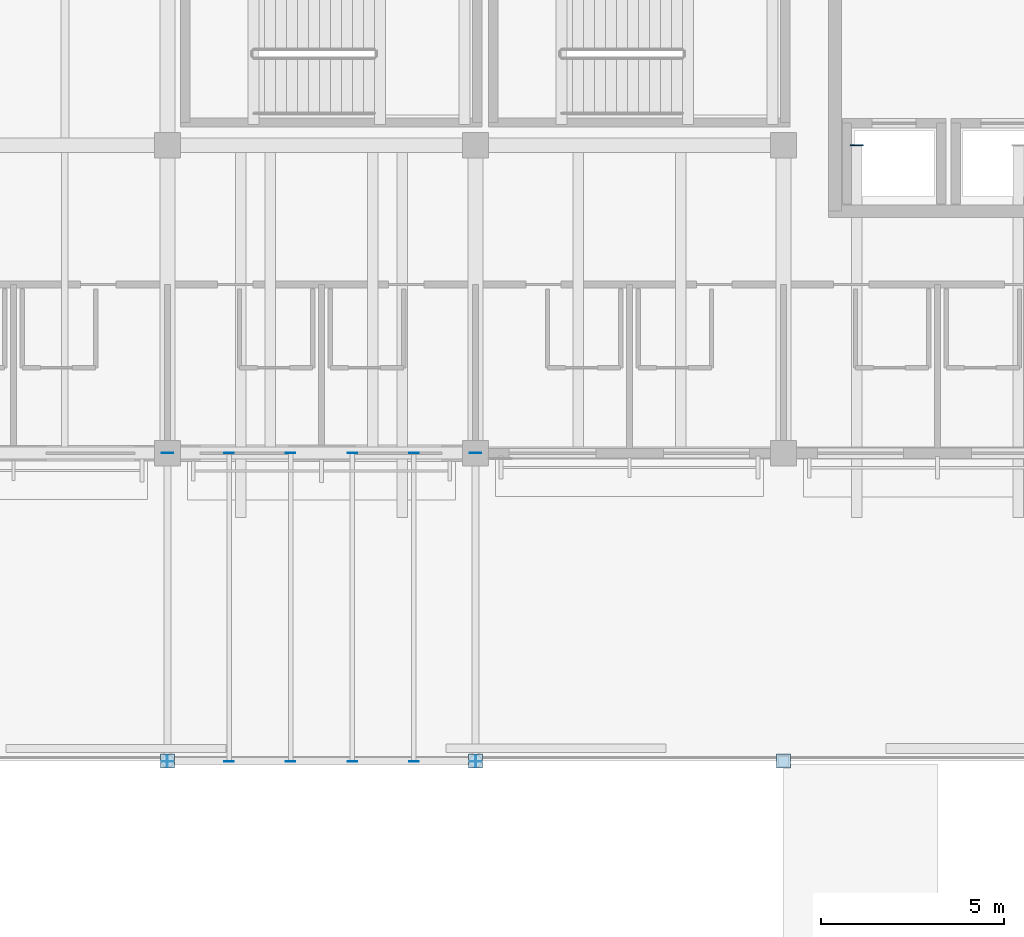
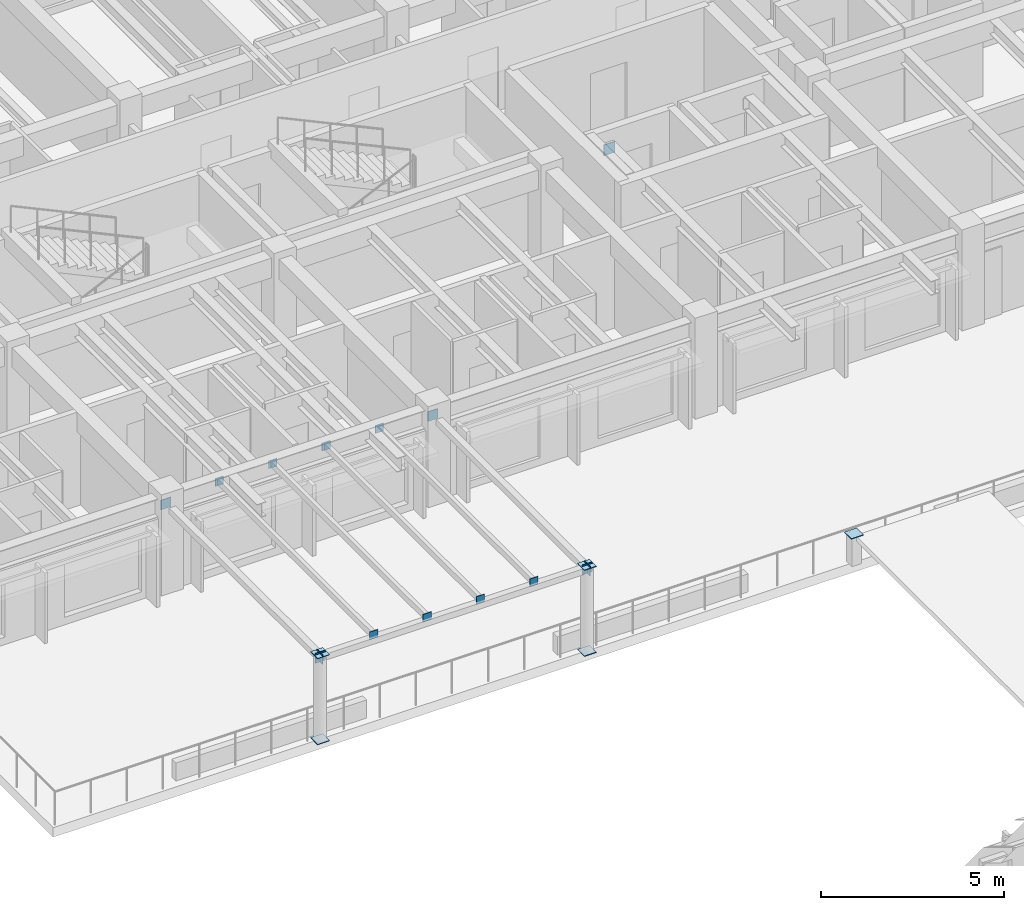
# One storey, part 71 of 111: 20 plates.
"""IFC4 building model written with IfcOpenShell, lengths in metres."""

from ifc_helpers import new_model, si_unit, direction, frame, origin, origin_2d, place, context, subcontext, project, spatial, rectangle, extrude, material, layer, layer_set, type_object, element, save


model = new_model("IFC4")

# Units and contexts
model_context = context("Model", 3, precision=1e-05, world=origin(), true_north=direction((0.0, 1.0)))
body_context = subcontext(model_context, "Body", "Model", "MODEL_VIEW")
ifc_project = project(units=[si_unit("LENGTHUNIT", "METRE"), si_unit("AREAUNIT", "SQUARE_METRE"), si_unit("VOLUMEUNIT", "CUBIC_METRE"), si_unit("PLANEANGLEUNIT", "RADIAN"), si_unit("MASSUNIT", "GRAM", prefix="KILO")], contexts=[model_context])

# Site, building, storey
site_placement = place(None, origin())
site = spatial("IfcSite", under=ifc_project, at=site_placement, CompositionType="ELEMENT")
building_placement = place(site_placement, origin())
building = spatial("IfcBuilding", under=site, at=building_placement, Name="Cumbredor Promenade Congress Hotel", CompositionType="ELEMENT")
storey_placement = place(building_placement, frame((0.0, 0.0, 15.1201171875)))
storey = spatial("IfcBuildingStorey", under=building, at=storey_placement, Name="L04", CompositionType="ELEMENT", Elevation=15.1201171875)

# Plates
ifc_material = material(Name="Steel ASTM A572 Grade 50", Category="steel")
ifc_layer_1 = layer(ifc_material, 0.02001953125, Name="Steel ASTM A572 Grade 50", Category="steel")
ifc_layer_set_1 = layer_set([ifc_layer_1], Name="Steel ASTM A572 Grade 50")
plate_type_1 = type_object("IfcPlateType", Name="Hollow Section End Cap Plate CP-04", PredefinedType="USERDEFINED", material=ifc_layer_set_1)
for number, where, z_axis, x_axis, name in (
    (1, (8.39990234375, 84.0, -0.01318359375), (0.0, 0.0, 1.0), (1.0, 0.0, 0.0), "L04 Sky-Garden Pergola Post 1.1 Start Cap Plate"),
    (2, (8.39990234375, 84.0, 2.847900390625), (0.0, 0.0, 1.0), (1.0, 0.0, 0.0), "L04 Sky-Garden Pergola Post 1.1 End Cap Plate"),
    (3, (16.800048828125, 84.0, -0.01318359375), (0.0, 0.0, 1.0), (1.0, 0.0, 0.0), "L04 Sky-Garden Pergola Post 1.3 Start Cap Plate"),
    (4, (16.800048828125, 84.0, 2.847900390625), (0.0, 0.0, 1.0), (1.0, 0.0, 0.0), "L04 Sky-Garden Pergola Post 1.3 End Cap Plate"),
    (5, (25.199951171875, 84.0, 0.94775390625), (0.0, 0.0, 1.0), (1.0, 0.0, 0.0), "West Congress-to-Hotel Glazed Bridge Canopy Extension Post 3 End Cap Plate"),
):
    element("IfcPlate", number, at=place(storey_placement, frame(where, z_axis=z_axis, x_axis=x_axis)), inside=storey, type_object=plate_type_1, Name=name, ObjectType="CAP PLATE", PredefinedType="USERDEFINED", context=body_context, shape_type="SweptSolid", body=[
        extrude(rectangle(XDim=0.3798828125, YDim=0.3798828125, at=origin_2d()), origin(), (0.0, 0.0, 1.0), 0.02001953125),
    ])
ifc_layer_2 = layer(ifc_material, 0.02001953125, Name="Steel ASTM A572 Grade 50", Category="steel")
ifc_layer_set_2 = layer_set([ifc_layer_2], Name="Steel ASTM A572 Grade 50")
plate_type_2 = type_object("IfcPlateType", Name="Hollow Section End Cap Plate CP-05", PredefinedType="USERDEFINED", material=ifc_layer_set_2)
for number, where, z_axis, x_axis, name in (
    (6, (8.39208984375, 84.0, 2.58984375), (0.0, 0.0, 1.0), (1.0, 0.0, 0.0), "L04 Sky-Garden Pergola Tie Beam 1S Start Cap Plate"),
    (7, (16.80810546875, 84.0, 2.58984375), (0.0, 0.0, 1.0), (1.0, 0.0, 0.0), "L04 Sky-Garden Pergola Tie Beam 1S End Cap Plate"),
    (8, (8.39990234375, 83.991943359375, 2.58984375), (0.0, 0.0, 1.0), (0.0, 1.0, 0.0), "L04 Sky-Garden Pergola Tie Beam 1W Start Cap Plate"),
    (9, (8.39990234375, 92.407958984375, 2.58984375), (0.0, 0.0, 1.0), (0.0, 1.0, 0.0), "L04 Sky-Garden Pergola Tie Beam 1W End Cap Plate"),
    (10, (16.800048828125, 83.991943359375, 2.58984375), (0.0, 0.0, 1.0), (0.0, 1.0, 0.0), "L04 Sky-Garden Pergola Tie Beam 1E Start Cap Plate"),
    (11, (16.800048828125, 92.407958984375, 2.58984375), (0.0, 0.0, 1.0), (0.0, 1.0, 0.0), "L04 Sky-Garden Pergola Tie Beam 1E End Cap Plate"),
):
    element("IfcPlate", number, at=place(storey_placement, frame(where, z_axis=z_axis, x_axis=x_axis)), inside=storey, type_object=plate_type_2, Name=name, ObjectType="CAP PLATE", PredefinedType="USERDEFINED", context=body_context, shape_type="SweptSolid", body=[
        extrude(rectangle(XDim=0.02001953125, YDim=0.320068359375, at=origin_2d()), origin(), (0.0, 0.0, 1.0), 0.320068359375),
    ])
ifc_layer_3 = layer(ifc_material, 0.02001953125, Name="Steel ASTM A572 Grade 50", Category="steel")
ifc_layer_set_3 = layer_set([ifc_layer_3], Name="Steel ASTM A572 Grade 50")
plate_type_3 = type_object("IfcPlateType", Name="Hollow Section End Cap Plate CP-06", PredefinedType="USERDEFINED", material=ifc_layer_set_3)
for number, where, z_axis, x_axis, name in (
    (12, (10.080078125, 83.991943359375, 2.77001953125), (0.0, 0.0, 1.0), (0.0, 1.0, 0.0), "L04 Sky-Garden Trellis Slat 1.2 Start Cap Plate"),
    (13, (10.080078125, 92.407958984375, 2.77001953125), (0.0, 0.0, 1.0), (0.0, 1.0, 0.0), "L04 Sky-Garden Trellis Slat 1.2 End Cap Plate"),
    (14, (11.760009765625, 83.991943359375, 2.77001953125), (0.0, 0.0, 1.0), (0.0, 1.0, 0.0), "L04 Sky-Garden Trellis Slat 1.3 Start Cap Plate"),
    (15, (11.760009765625, 92.407958984375, 2.77001953125), (0.0, 0.0, 1.0), (0.0, 1.0, 0.0), "L04 Sky-Garden Trellis Slat 1.3 End Cap Plate"),
    (16, (13.43994140625, 83.991943359375, 2.77001953125), (0.0, 0.0, 1.0), (0.0, 1.0, 0.0), "L04 Sky-Garden Trellis Slat 1.4 Start Cap Plate"),
    (17, (13.43994140625, 92.407958984375, 2.77001953125), (0.0, 0.0, 1.0), (0.0, 1.0, 0.0), "L04 Sky-Garden Trellis Slat 1.4 End Cap Plate"),
    (18, (15.1201171875, 83.991943359375, 2.77001953125), (0.0, 0.0, 1.0), (0.0, 1.0, 0.0), "L04 Sky-Garden Trellis Slat 1.5 Start Cap Plate"),
    (19, (15.1201171875, 92.407958984375, 2.77001953125), (0.0, 0.0, 1.0), (0.0, 1.0, 0.0), "L04 Sky-Garden Trellis Slat 1.5 End Cap Plate"),
):
    element("IfcPlate", number, at=place(storey_placement, frame(where, z_axis=z_axis, x_axis=x_axis)), inside=storey, type_object=plate_type_3, Name=name, ObjectType="CAP PLATE", PredefinedType="USERDEFINED", context=body_context, shape_type="SweptSolid", body=[
        extrude(rectangle(XDim=0.02001953125, YDim=0.260009765625, at=origin_2d()), origin(), (0.0, 0.0, 1.0), 0.260009765625),
    ])
ifc_layer_4 = layer(ifc_material, 0.028076171875, Name="Steel ASTM A572 Grade 50", Category="steel")
ifc_layer_set_4 = layer_set([ifc_layer_4], Name="Steel ASTM A572 Grade 50")
plate_type_4 = type_object("IfcPlateType", Name="Space Frame Node Assembly ND-03", PredefinedType="USERDEFINED", material=ifc_layer_set_4)
plate_placement = place(storey_placement, frame((27.199951171875, 100.800048828125, 2.70849609375), z_axis=(0.0, 0.0, 1.0), x_axis=(1.0, 0.0, 0.0)))
element("IfcPlate", 20, at=plate_placement, inside=storey, type_object=plate_type_4, Name="L04 Outrigger Core Wall Embed Plate 030.1", ObjectType="GUSSET PLATE", PredefinedType="USERDEFINED", context=body_context, shape_type="SweptSolid", body=[
    extrude(rectangle(XDim=0.360107421875, YDim=0.028076171875, at=origin_2d()), origin(), (0.0, 0.0, 1.0), 0.360107421875),
])

save(model, "model.ifc")
